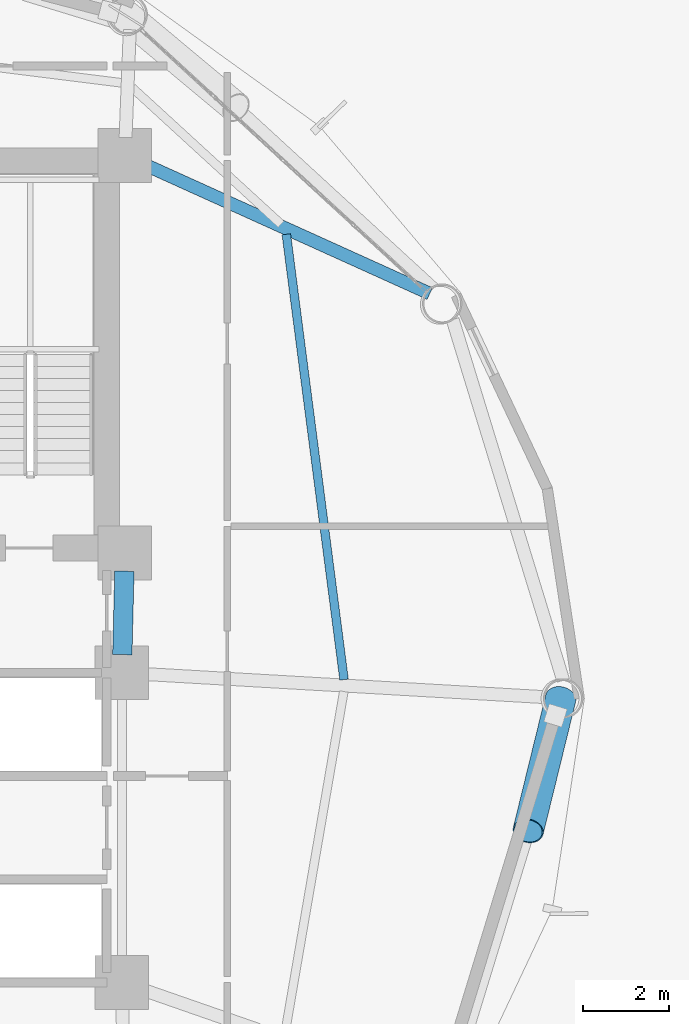
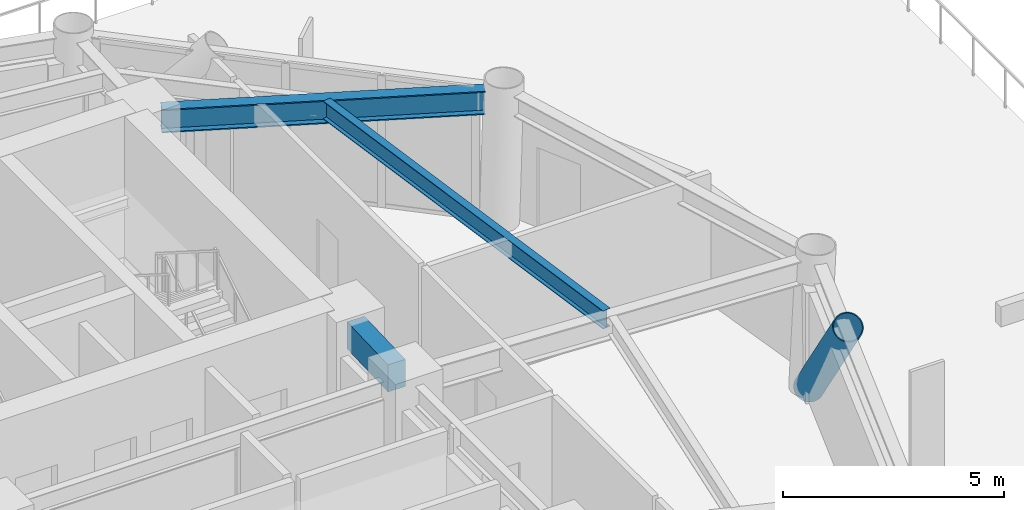
# One storey, part 13 of 24: 3 beams, 1 member.
"""IFC4 building model written with IfcOpenShell, lengths in metres."""

from ifc_helpers import new_model, si_unit, direction, frame, origin, origin_2d, place, context, subcontext, project, spatial, rectangle, hollow_circle, i_section, extrude, material, material_profile, profile_set, type_object, element, save


model = new_model("IFC4")

# Units and contexts
model_context = context("Model", 3, precision=1e-05, world=origin(), true_north=direction((0.0, 1.0)))
body_context = subcontext(model_context, "Body", "Model", "MODEL_VIEW")
ifc_project = project(units=[si_unit("LENGTHUNIT", "METRE"), si_unit("AREAUNIT", "SQUARE_METRE"), si_unit("VOLUMEUNIT", "CUBIC_METRE"), si_unit("PLANEANGLEUNIT", "RADIAN"), si_unit("MASSUNIT", "GRAM", prefix="KILO")], contexts=[model_context])

# Site, building, storey
site_placement = place(None, origin())
site = spatial("IfcSite", under=ifc_project, at=site_placement, CompositionType="ELEMENT")
building_placement = place(site_placement, origin())
building = spatial("IfcBuilding", under=site, at=building_placement, Name="Varnakorn Sky Granary", CompositionType="ELEMENT")
storey_placement = place(building_placement, frame((0.0, 0.0, 27.60009765625)))
storey = spatial("IfcBuildingStorey", under=building, at=storey_placement, Name="L06", CompositionType="ELEMENT", Elevation=27.60009765625)

# Beams
ifc_material_1 = material(Name="Concrete C60/75", Category="concrete")
ifc_material_profile_1 = material_profile(ifc_material_1, rectangle(XDim=0.449951171875, YDim=0.75, at=origin_2d()), Name="RC 450x750")
ifc_profile_set_1 = profile_set([ifc_material_profile_1], Name="Concrete C60/75")
beam_type_1 = type_object("IfcBeamType", Name="BM-LIN-750", PredefinedType="LINTEL", material=ifc_profile_set_1)
beam_1_placement = place(storey_placement, frame((8.409423828125, 2.960205078125, 3.264892578125), z_axis=(-0.025158763514, -0.999683468213, 0.0), x_axis=(0.999683468213, -0.025158763514, 0.0)))
element("IfcBeam", 1, at=beam_1_placement, inside=storey, type_object=beam_type_1, Name="Core Spine Framing Beam 2 L06", PredefinedType="LINTEL", context=body_context, shape_type="SweptSolid", body=[
    extrude(rectangle(XDim=0.449951171875, YDim=0.75, at=origin_2d()), origin(), (0.0, 0.0, 1.0), 1.94091796875),
])
ifc_material_2 = material(Name="Steel S355JR", Category="steel")
ifc_material_profile_2 = material_profile(ifc_material_2, i_section(OverallWidth=0.300048828125, OverallDepth=0.64990234375, WebThickness=0.01611328125, FlangeThickness=0.031005859375, at=origin_2d()), Name="HE 650 B")
ifc_profile_set_2 = profile_set([ifc_material_profile_2], Name="Steel S355JR")
beam_type_2 = type_object("IfcBeamType", Name="BM-RAD-Z1", PredefinedType="BEAM", material=ifc_profile_set_2)
beam_2_placement = place(storey_placement, frame((8.802490234375, 12.44677734375, 3.31494140625), z_axis=(0.911049182302, -0.412297692726, 0.0), x_axis=(0.412297692726, 0.911049182302, 0.0)))
element("IfcBeam", 2, at=beam_2_placement, inside=storey, type_object=beam_type_2, Name="Radial Floor Girder RG02 L06", PredefinedType="BEAM", context=body_context, shape_type="SweptSolid", body=[
    extrude(i_section(OverallWidth=0.300048828125, OverallDepth=0.64990234375, WebThickness=0.01611328125, FlangeThickness=0.031005859375, at=origin_2d()), origin(), (0.0, 0.0, 1.0), 7.359130859375),
])
ifc_material_profile_3 = material_profile(ifc_material_2, i_section(OverallWidth=0.199951171875, OverallDepth=0.5, WebThickness=0.01025390625, FlangeThickness=0.01611328125, at=origin_2d()), Name="IPE 500")
ifc_profile_set_3 = profile_set([ifc_material_profile_3], Name="Steel S355JR")
beam_type_3 = type_object("IfcBeamType", Name="BM-SEC-Z1", PredefinedType="BEAM", material=ifc_profile_set_3)
beam_3_placement = place(storey_placement, frame((13.514892578125, 0.439453125, 3.389892578125), z_axis=(-0.128570215659, 0.991700408211, 0.0), x_axis=(-0.991700408211, -0.128570215659, 0.0)))
element("IfcBeam", 3, at=beam_3_placement, inside=storey, type_object=beam_type_3, Name="Secondary Floor Chord Beam MSB01 L06", PredefinedType="BEAM", context=body_context, shape_type="SweptSolid", body=[
    extrude(i_section(OverallWidth=0.199951171875, OverallDepth=0.5, WebThickness=0.01025390625, FlangeThickness=0.01611328125, at=origin_2d()), origin(), (0.0, 0.0, 1.0), 10.438232421875),
])

# Member
ifc_material_3 = material(Name="Steel S460M", Category="steel")
ifc_material_profile_4 = material_profile(ifc_material_3, hollow_circle(Radius=0.35546875, WallThickness=0.02490234375, at=origin_2d()), Name="CHS 711x25")
ifc_profile_set_4 = profile_set([ifc_material_profile_4], Name="Steel S460M")
member_type = type_object("IfcMemberType", Name="MB-DIAG-T0", PredefinedType="BRACE", material=ifc_profile_set_4)
member_placement = place(storey_placement, frame((18.550048828125, 0.0, 0.0), z_axis=(-0.152822392472, -0.622904467115, 0.767225743317), x_axis=(0.971198396067, -0.238272271732, 0.0)))
element("IfcMember", 4, at=member_placement, inside=storey, type_object=member_type, Name="Perimeter CHS Diagrid Brace DG12 L06", PredefinedType="BRACE", context=body_context, shape_type="SweptSolid", body=[
    extrude(hollow_circle(Radius=0.35546875, WallThickness=0.02490234375, at=origin_2d()), origin(), (0.0, 0.0, 1.0), 4.939697265625),
])

save(model, "model.ifc")
